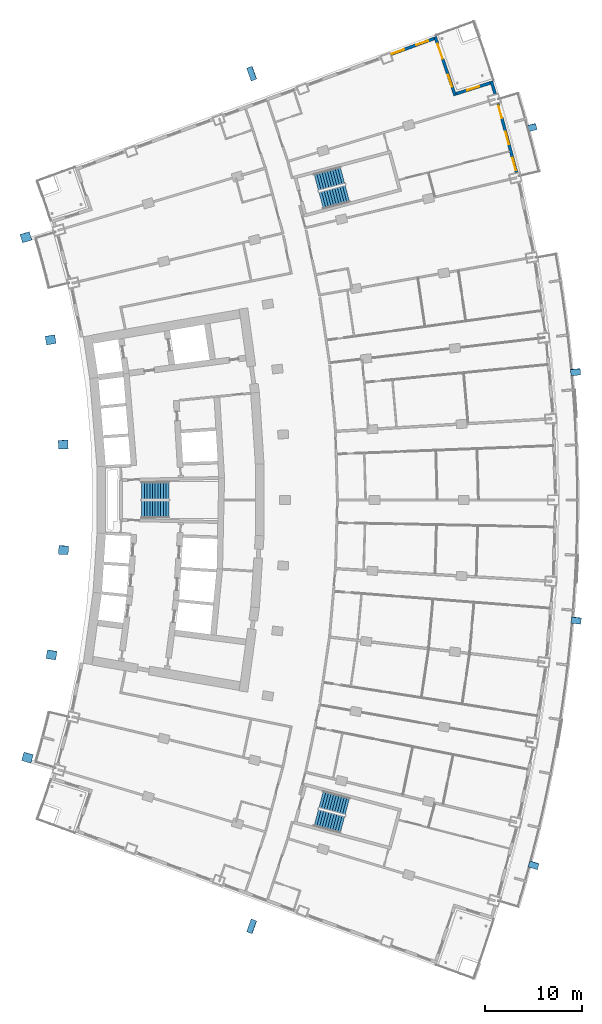
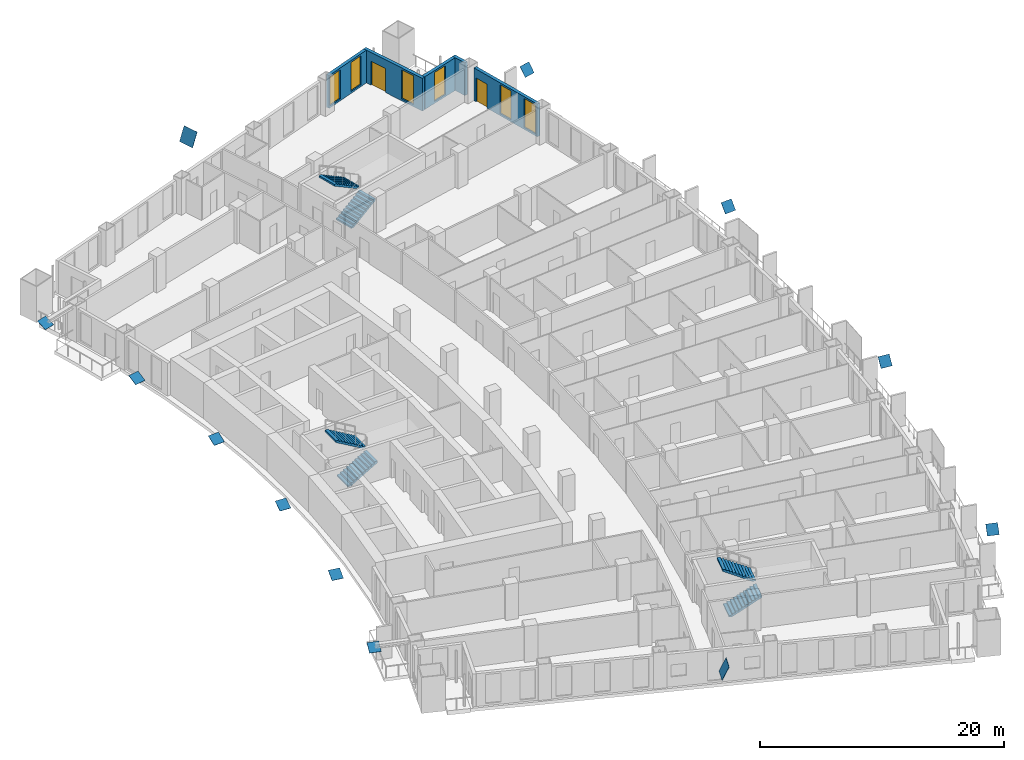
# One storey, part 21 of 24: 12 discrete accessories, 6 stair flights, 6 windows, 5 walls, 2 doors, 8 openings, 3 elements without a shape of their own.
"""IFC4 building model written with IfcOpenShell, lengths in metres."""

from ifc_helpers import new_model, si_unit, direction, frame, frame_2d, origin, origin_2d, place, context, subcontext, project, spatial, polyline, rectangle, outline, extrude, material, layer, layer_set, material_profile, profile_set, type_object, element, fill, aggregate, save


model = new_model("IFC4")

# Units and contexts
model_context = context("Model", 3, precision=1e-05, world=origin(), true_north=direction((0.0, 1.0)))
body_context = subcontext(model_context, "Body", "Model", "MODEL_VIEW")
ifc_project = project(units=[si_unit("LENGTHUNIT", "METRE"), si_unit("AREAUNIT", "SQUARE_METRE"), si_unit("VOLUMEUNIT", "CUBIC_METRE"), si_unit("PLANEANGLEUNIT", "RADIAN"), si_unit("MASSUNIT", "GRAM", prefix="KILO")], contexts=[model_context])

# Site, building, storey
site_placement = place(None, origin())
site = spatial("IfcSite", under=ifc_project, at=site_placement, CompositionType="ELEMENT")
building_placement = place(site_placement, origin())
building = spatial("IfcBuilding", under=site, at=building_placement, Name="Alderwake Tower", CompositionType="ELEMENT")
storey_placement = place(building_placement, frame((0.0, 0.0, 39.199951171875)))
storey = spatial("IfcBuildingStorey", under=building, at=storey_placement, Name="L08", CompositionType="ELEMENT", Elevation=39.199951171875)

# Wall, openings, door, windows
ifc_material_1 = material(Name="Precast concrete C50/60 spandrel panel", Category="concrete")
ifc_layer_1 = layer(ifc_material_1, 0.300048828125)
ifc_layer_set_1 = layer_set([ifc_layer_1], Name="External wall EW1 Precast concrete C50/60 spandrel")
wall_type_1 = type_object("IfcWallType", Name="External wall EW1 Precast concrete C50/60 spandrel", PredefinedType="SOLIDWALL", material=ifc_layer_set_1)
wall_1_placement = place(storey_placement, frame((59.62109375, 94.7216796875, 0.0), z_axis=(0.0, 0.0, 1.0), x_axis=(-0.259490825488, 0.965745572854, 0.0)))
wall_1 = element("IfcWall", 1, at=wall_1_placement, inside=storey, type_object=wall_type_1, Name="External wall 21", PredefinedType="SOLIDWALL", context=body_context, shape_type="SweptSolid", body=[
    extrude(rectangle(XDim=7.3291015625, YDim=0.300048828125, at=frame_2d((3.66455078125, 0.0))), origin(), (0.0, 0.0, 1.0), 3.280029296875),
])
opening_1_placement = place(wall_1_placement, frame((0.226806640625, 0.0, 0.199951171875)))
opening_1 = element("IfcOpeningElement", 2, at=opening_1_placement, cuts=wall_1, Name="Opening W1", PredefinedType="OPENING", context=body_context, shape_type="SweptSolid", body=[
    extrude(rectangle(XDim=1.300048828125, YDim=2.89990234375, at=frame_2d((0.64990234375, 1.449951171875))), frame((0.0, 0.159912109375, 0.0), z_axis=(0.0, -1.0, 0.0), x_axis=(1.0, 0.0, 0.0)), (0.0, 0.0, 1.0), 0.320068359375),
])
opening_2_placement = place(wall_1_placement, frame((3.0146484375, 0.0, 0.199951171875)))
opening_2 = element("IfcOpeningElement", 3, at=opening_2_placement, cuts=wall_1, Name="Opening W1", PredefinedType="OPENING", context=body_context, shape_type="SweptSolid", body=[
    extrude(rectangle(XDim=1.300048828125, YDim=2.89990234375, at=frame_2d((0.64990234375, 1.449951171875))), frame((0.0, 0.159912109375, 0.0), z_axis=(0.0, -1.0, 0.0), x_axis=(1.0, 0.0, 0.0)), (0.0, 0.0, 1.0), 0.320068359375),
])
opening_3_placement = place(wall_1_placement, frame((5.802490234375, 0.0, 0.0)))
opening_3 = element("IfcOpeningElement", 4, at=opening_3_placement, cuts=wall_1, Name="Opening D11", PredefinedType="OPENING", context=body_context, shape_type="SweptSolid", body=[
    extrude(rectangle(XDim=1.300048828125, YDim=2.39990234375, at=frame_2d((0.64990234375, 1.199951171875))), frame((0.0, 0.159912109375, 0.0), z_axis=(0.0, -1.0, 0.0), x_axis=(1.0, 0.0, 0.0)), (0.0, 0.0, 1.0), 0.320068359375),
])
ifc_material_2 = material(Name="Bronze tinted glass in aluminium frame", Category="aluminium")
door_type_1 = type_object("IfcDoorType", Name="Balcony door BD sliding", OperationType="SLIDING_TO_LEFT", PredefinedType="DOOR", material=ifc_material_2)
door_1_placement = place(opening_3_placement, origin())
door_1 = element("IfcDoor", 5, at=door_1_placement, inside=storey, type_object=door_type_1, Name="Door D11", OperationType="SLIDING_TO_LEFT", OverallHeight=2.39990234375, OverallWidth=1.300048828125, PredefinedType="DOOR", context=body_context, shape_type="SweptSolid", body=[
    extrude(rectangle(XDim=1.300048828125, YDim=2.39990234375, at=frame_2d((0.64990234375, 1.199951171875))), frame((0.0, 0.02490234375, 0.0), z_axis=(0.0, -1.0, 0.0), x_axis=(1.0, 0.0, 0.0)), (0.0, 0.0, 1.0), 0.050048828125),
])
fill(opening_3, door_1)
ifc_material_3 = material(Name="Bronze tinted glass in aluminium frame", Category="aluminium")
window_type = type_object("IfcWindowType", Name="Window W1 tall fixed and vent", PartitioningType="DOUBLE_PANEL_VERTICAL", PredefinedType="WINDOW", material=ifc_material_3)
window_1_placement = place(opening_1_placement, origin())
window_1 = element("IfcWindow", 6, at=window_1_placement, inside=storey, type_object=window_type, Name="Window W1 tall fixed and vent", OverallHeight=2.89990234375, OverallWidth=1.300048828125, PartitioningType="DOUBLE_PANEL_VERTICAL", PredefinedType="WINDOW", context=body_context, shape_type="SweptSolid", body=[
    extrude(rectangle(XDim=1.300048828125, YDim=2.89990234375, at=frame_2d((0.64990234375, 1.449951171875))), frame((0.0, 0.030029296875, 0.0), z_axis=(0.0, -1.0, 0.0), x_axis=(1.0, 0.0, 0.0)), (0.0, 0.0, 1.0), 0.06005859375),
])
fill(opening_1, window_1)
window_2_placement = place(opening_2_placement, origin())
window_2 = element("IfcWindow", 7, at=window_2_placement, inside=storey, type_object=window_type, Name="Window W1 tall fixed and vent", OverallHeight=2.89990234375, OverallWidth=1.300048828125, PartitioningType="DOUBLE_PANEL_VERTICAL", PredefinedType="WINDOW", context=body_context, shape_type="SweptSolid", body=[
    extrude(rectangle(XDim=1.300048828125, YDim=2.89990234375, at=frame_2d((0.64990234375, 1.449951171875))), frame((0.0, 0.030029296875, 0.0), z_axis=(0.0, -1.0, 0.0), x_axis=(1.0, 0.0, 0.0)), (0.0, 0.0, 1.0), 0.06005859375),
])
fill(opening_2, window_2)

# Wall
wall_2_placement = place(storey_placement, frame((57.43408203125, 102.790283203125, 0.0), z_axis=(0.0, 0.0, 1.0), x_axis=(-0.294678837425, 0.955596349289, 0.0)))
element("IfcWall", 8, at=wall_2_placement, inside=storey, type_object=wall_type_1, Name="External wall 22", PredefinedType="SOLIDWALL", context=body_context, shape_type="SweptSolid", body=[
    extrude(rectangle(XDim=1.388671875, YDim=0.300048828125, at=frame_2d((0.6943359375, 0.0))), origin(), (0.0, 0.0, 1.0), 3.280029296875),
])

# Wall, opening, window
ifc_material_4 = material(Name="Bronze metal cladding on lightweight framing")
ifc_layer_2 = layer(ifc_material_4, 0.300048828125)
ifc_layer_set_2 = layer_set([ifc_layer_2], Name="External wall EW2 bronze metal cladding")
wall_type_2 = type_object("IfcWallType", Name="External wall EW2 bronze metal cladding", PredefinedType="SOLIDWALL", material=ifc_layer_set_2)
wall_3_placement = place(storey_placement, frame((56.926025390625, 103.9287109375, 0.0), z_axis=(0.0, 0.0, 1.0), x_axis=(-0.953466730622, -0.301498248083, 0.0)))
wall_3 = element("IfcWall", 9, at=wall_3_placement, inside=storey, type_object=wall_type_2, Name="External wall 23", PredefinedType="SOLIDWALL", context=body_context, shape_type="SweptSolid", body=[
    extrude(rectangle(XDim=3.694091796875, YDim=0.300048828125, at=frame_2d((1.84716796875, 0.0))), origin(), (0.0, 0.0, 1.0), 3.280029296875),
])
opening_4_placement = place(wall_3_placement, frame((1.197021484375, 0.0, 0.199951171875)))
opening_4 = element("IfcOpeningElement", 10, at=opening_4_placement, cuts=wall_3, Name="Opening W1", PredefinedType="OPENING", context=body_context, shape_type="SweptSolid", body=[
    extrude(rectangle(XDim=1.300048828125, YDim=2.89990234375, at=frame_2d((0.64990234375, 1.449951171875))), frame((0.0, 0.159912109375, 0.0), z_axis=(0.0, -1.0, 0.0), x_axis=(1.0, 0.0, 0.0)), (0.0, 0.0, 1.0), 0.320068359375),
])
window_3_placement = place(opening_4_placement, origin())
window_3 = element("IfcWindow", 11, at=window_3_placement, inside=storey, type_object=window_type, Name="Window W1 tall fixed and vent", OverallHeight=2.89990234375, OverallWidth=1.300048828125, PartitioningType="DOUBLE_PANEL_VERTICAL", PredefinedType="WINDOW", context=body_context, shape_type="SweptSolid", body=[
    extrude(rectangle(XDim=1.300048828125, YDim=2.89990234375, at=frame_2d((0.64990234375, 1.449951171875))), frame((0.0, 0.030029296875, 0.0), z_axis=(0.0, -1.0, 0.0), x_axis=(1.0, 0.0, 0.0)), (0.0, 0.0, 1.0), 0.06005859375),
])
fill(opening_4, window_3)

# Wall, openings, door, window
wall_4_placement = place(storey_placement, frame((53.308837890625, 102.627685546875, 0.0), z_axis=(0.0, 0.0, 1.0), x_axis=(-0.320897976071, 0.947113767693, 0.0)))
wall_4 = element("IfcWall", 12, at=wall_4_placement, inside=storey, type_object=wall_type_2, Name="External wall 24", PredefinedType="SOLIDWALL", context=body_context, shape_type="SweptSolid", body=[
    extrude(rectangle(XDim=6.408935546875, YDim=0.300048828125, at=frame_2d((3.20458984375, 0.0))), origin(), (0.0, 0.0, 1.0), 3.280029296875),
])
opening_5_placement = place(wall_4_placement, frame((0.952392578125, 0.0, 0.199951171875)))
opening_5 = element("IfcOpeningElement", 13, at=opening_5_placement, cuts=wall_4, Name="Opening W1", PredefinedType="OPENING", context=body_context, shape_type="SweptSolid", body=[
    extrude(rectangle(XDim=1.300048828125, YDim=2.89990234375, at=frame_2d((0.64990234375, 1.449951171875))), frame((0.0, 0.159912109375, 0.0), z_axis=(0.0, -1.0, 0.0), x_axis=(1.0, 0.0, 0.0)), (0.0, 0.0, 1.0), 0.320068359375),
])
opening_6_placement = place(wall_4_placement, frame((4.0068359375, 0.0, 0.0)))
opening_6 = element("IfcOpeningElement", 14, at=opening_6_placement, cuts=wall_4, Name="Opening D12", PredefinedType="OPENING", context=body_context, shape_type="SweptSolid", body=[
    extrude(rectangle(XDim=1.60009765625, YDim=2.39990234375, at=frame_2d((0.800048828125, 1.199951171875))), frame((0.0, 0.159912109375, 0.0), z_axis=(0.0, -1.0, 0.0), x_axis=(1.0, 0.0, 0.0)), (0.0, 0.0, 1.0), 0.320068359375),
])
ifc_material_5 = material(Name="Bronze tinted glass in aluminium frame", Category="aluminium")
door_type_2 = type_object("IfcDoorType", Name="Terrace door TD sliding", OperationType="SLIDING_TO_LEFT", PredefinedType="DOOR", material=ifc_material_5)
door_2_placement = place(opening_6_placement, origin())
door_2 = element("IfcDoor", 15, at=door_2_placement, inside=storey, type_object=door_type_2, Name="Door D12", OperationType="SLIDING_TO_LEFT", OverallHeight=2.39990234375, OverallWidth=1.60009765625, PredefinedType="DOOR", context=body_context, shape_type="SweptSolid", body=[
    extrude(rectangle(XDim=1.60009765625, YDim=2.39990234375, at=frame_2d((0.800048828125, 1.199951171875))), frame((0.0, 0.02490234375, 0.0), z_axis=(0.0, -1.0, 0.0), x_axis=(1.0, 0.0, 0.0)), (0.0, 0.0, 1.0), 0.050048828125),
])
fill(opening_6, door_2)
window_4_placement = place(opening_5_placement, origin())
window_4 = element("IfcWindow", 16, at=window_4_placement, inside=storey, type_object=window_type, Name="Window W1 tall fixed and vent", OverallHeight=2.89990234375, OverallWidth=1.300048828125, PartitioningType="DOUBLE_PANEL_VERTICAL", PredefinedType="WINDOW", context=body_context, shape_type="SweptSolid", body=[
    extrude(rectangle(XDim=1.300048828125, YDim=2.89990234375, at=frame_2d((0.64990234375, 1.449951171875))), frame((0.0, 0.030029296875, 0.0), z_axis=(0.0, -1.0, 0.0), x_axis=(1.0, 0.0, 0.0)), (0.0, 0.0, 1.0), 0.06005859375),
])
fill(opening_5, window_4)

# Wall, openings, windows
wall_5_placement = place(storey_placement, frame((51.159423828125, 108.50439453125, 0.0), z_axis=(0.0, 0.0, 1.0), x_axis=(-0.939369156015, -0.342907551284, 0.0)))
wall_5 = element("IfcWall", 17, at=wall_5_placement, inside=storey, type_object=wall_type_2, Name="External wall 25", PredefinedType="SOLIDWALL", context=body_context, shape_type="SweptSolid", body=[
    extrude(rectangle(XDim=4.74609375, YDim=0.300048828125, at=frame_2d((2.373046875, 0.0))), origin(), (0.0, 0.0, 1.0), 3.280029296875),
])
opening_7_placement = place(wall_5_placement, frame((0.674560546875, 0.0, 0.199951171875)))
opening_7 = element("IfcOpeningElement", 18, at=opening_7_placement, cuts=wall_5, Name="Opening W1", PredefinedType="OPENING", context=body_context, shape_type="SweptSolid", body=[
    extrude(rectangle(XDim=1.300048828125, YDim=2.89990234375, at=frame_2d((0.64990234375, 1.449951171875))), frame((0.0, 0.159912109375, 0.0), z_axis=(0.0, -1.0, 0.0), x_axis=(1.0, 0.0, 0.0)), (0.0, 0.0, 1.0), 0.320068359375),
])
opening_8_placement = place(wall_5_placement, frame((3.323486328125, 0.0, 0.199951171875)))
opening_8 = element("IfcOpeningElement", 19, at=opening_8_placement, cuts=wall_5, Name="Opening W1", PredefinedType="OPENING", context=body_context, shape_type="SweptSolid", body=[
    extrude(rectangle(XDim=1.300048828125, YDim=2.89990234375, at=frame_2d((0.64990234375, 1.449951171875))), frame((0.0, 0.159912109375, 0.0), z_axis=(0.0, -1.0, 0.0), x_axis=(1.0, 0.0, 0.0)), (0.0, 0.0, 1.0), 0.320068359375),
])
window_5_placement = place(opening_7_placement, origin())
window_5 = element("IfcWindow", 20, at=window_5_placement, inside=storey, type_object=window_type, Name="Window W1 tall fixed and vent", OverallHeight=2.89990234375, OverallWidth=1.300048828125, PartitioningType="DOUBLE_PANEL_VERTICAL", PredefinedType="WINDOW", context=body_context, shape_type="SweptSolid", body=[
    extrude(rectangle(XDim=1.300048828125, YDim=2.89990234375, at=frame_2d((0.64990234375, 1.449951171875))), frame((0.0, 0.030029296875, 0.0), z_axis=(0.0, -1.0, 0.0), x_axis=(1.0, 0.0, 0.0)), (0.0, 0.0, 1.0), 0.06005859375),
])
fill(opening_7, window_5)
window_6_placement = place(opening_8_placement, origin())
window_6 = element("IfcWindow", 21, at=window_6_placement, inside=storey, type_object=window_type, Name="Window W1 tall fixed and vent", OverallHeight=2.89990234375, OverallWidth=1.300048828125, PartitioningType="DOUBLE_PANEL_VERTICAL", PredefinedType="WINDOW", context=body_context, shape_type="SweptSolid", body=[
    extrude(rectangle(XDim=1.300048828125, YDim=2.89990234375, at=frame_2d((0.64990234375, 1.449951171875))), frame((0.0, 0.030029296875, 0.0), z_axis=(0.0, -1.0, 0.0), x_axis=(1.0, 0.0, 0.0)), (0.0, 0.0, 1.0), 0.06005859375),
])
fill(opening_8, window_6)

# Stair, stair flights
ifc_material_6 = material(Name="Concrete C40/50", Category="concrete")
stair_type = type_object("IfcStairType", Name="Core exit stair", PredefinedType="HALF_TURN_STAIR", material=ifc_material_6)
stair_1_placement = place(storey_placement, origin())
stair_1 = element("IfcStair", 22, at=stair_1_placement, inside=storey, type_object=stair_type, Name="L08 Exit Stair B", PredefinedType="HALF_TURN_STAIR")
ifc_material_7 = material(Name="Concrete C40/50", Category="concrete")
ifc_layer_3 = layer(ifc_material_7, 0.14990234375)
ifc_layer_set_3 = layer_set([ifc_layer_3], Name="Core stair flight")
stair_flight_type = type_object("IfcStairFlightType", Name="Core stair flight", PredefinedType="STRAIGHT", material=ifc_layer_set_3)
stair_flight_1_placement = place(storey_placement, frame((21.0400390625, 60.02490234375, 0.0), z_axis=(0.0, 0.0, 1.0), x_axis=(1.0, 0.0, 0.0)))
stair_flight_1 = element("IfcStairFlight", 23, at=stair_flight_1_placement, type_object=stair_flight_type, Name="ST-B flight 1", NumberOfRisers=11, NumberOfTreads=10, PredefinedType="STRAIGHT", RiserHeight=0.163636364, TreadLength=0.28, context=body_context, shape_type="SweptSolid", body=[
    extrude(outline(polyline([(0.0, 0.0), (0.0, 0.16357421875), (0.280029296875, 0.16357421875), (0.280029296875, 0.327392578125), (0.56005859375, 0.327392578125), (0.56005859375, 0.490966796875), (0.840087890625, 0.490966796875), (0.840087890625, 0.654541015625), (1.1201171875, 0.654541015625), (1.1201171875, 0.818115234375), (1.39990234375, 0.818115234375), (1.39990234375, 0.98193359375), (1.679931640625, 0.98193359375), (1.679931640625, 1.1455078125), (1.9599609375, 1.1455078125), (1.9599609375, 1.30908203125), (2.239990234375, 1.30908203125), (2.239990234375, 1.47265625), (2.52001953125, 1.47265625), (2.52001953125, 1.636474609375), (2.800048828125, 1.636474609375), (2.800048828125, 1.800048828125), (2.800048828125, 1.462646484375), (0.297119140625, 0.0), (0.0, 0.0)])), frame((0.0, 0.89990234375, 0.0), z_axis=(0.0, -1.0, 0.0), x_axis=(1.0, 0.0, 0.0)), (0.0, 0.0, 1.0), 1.800048828125),
])
stair_flight_2_placement = place(storey_placement, frame((23.840087890625, 61.97509765625, 1.800048828125), z_axis=(0.0, 0.0, 1.0), x_axis=(-1.0, 0.0, 0.0)))
stair_flight_2 = element("IfcStairFlight", 24, at=stair_flight_2_placement, type_object=stair_flight_type, Name="ST-B flight 2", NumberOfRisers=11, NumberOfTreads=10, PredefinedType="STRAIGHT", RiserHeight=0.163636364, TreadLength=0.28, context=body_context, shape_type="SweptSolid", body=[
    extrude(outline(polyline([(0.0, 0.0), (0.0, 0.16357421875), (0.280029296875, 0.16357421875), (0.280029296875, 0.327392578125), (0.56005859375, 0.327392578125), (0.56005859375, 0.490966796875), (0.840087890625, 0.490966796875), (0.840087890625, 0.654541015625), (1.1201171875, 0.654541015625), (1.1201171875, 0.818115234375), (1.39990234375, 0.818115234375), (1.39990234375, 0.98193359375), (1.679931640625, 0.98193359375), (1.679931640625, 1.1455078125), (1.9599609375, 1.1455078125), (1.9599609375, 1.30908203125), (2.239990234375, 1.30908203125), (2.239990234375, 1.47265625), (2.52001953125, 1.47265625), (2.52001953125, 1.636474609375), (2.800048828125, 1.636474609375), (2.800048828125, 1.800048828125), (2.800048828125, 1.462646484375), (0.297119140625, 0.0), (0.0, 0.0)])), frame((0.0, 0.89990234375, 0.0), z_axis=(0.0, -1.0, 0.0), x_axis=(1.0, 0.0, 0.0)), (0.0, 0.0, 1.0), 1.800048828125),
])
aggregate(stair_1, [stair_flight_1, stair_flight_2])

stair_2_placement = place(storey_placement, origin())
stair_2 = element("IfcStair", 25, at=stair_2_placement, inside=storey, type_object=stair_type, Name="L08 Exit Stair A", PredefinedType="HALF_TURN_STAIR")
stair_flight_3_placement = place(storey_placement, frame((39.512939453125, 91.823974609375, 0.0), z_axis=(0.0, 0.0, 1.0), x_axis=(0.966309627437, 0.257382407951, 0.0)))
stair_flight_3 = element("IfcStairFlight", 26, at=stair_flight_3_placement, type_object=stair_flight_type, Name="ST-A flight 1", NumberOfRisers=11, NumberOfTreads=10, PredefinedType="STRAIGHT", RiserHeight=0.163636364, TreadLength=0.28, context=body_context, shape_type="SweptSolid", body=[
    extrude(outline(polyline([(0.0, 0.0), (0.0, 0.16357421875), (0.280029296875, 0.16357421875), (0.280029296875, 0.327392578125), (0.56005859375, 0.327392578125), (0.56005859375, 0.490966796875), (0.840087890625, 0.490966796875), (0.840087890625, 0.654541015625), (1.1201171875, 0.654541015625), (1.1201171875, 0.818115234375), (1.39990234375, 0.818115234375), (1.39990234375, 0.98193359375), (1.679931640625, 0.98193359375), (1.679931640625, 1.1455078125), (1.9599609375, 1.1455078125), (1.9599609375, 1.30908203125), (2.239990234375, 1.30908203125), (2.239990234375, 1.47265625), (2.52001953125, 1.47265625), (2.52001953125, 1.636474609375), (2.800048828125, 1.636474609375), (2.800048828125, 1.800048828125), (2.800048828125, 1.462646484375), (0.297119140625, 0.0), (0.0, 0.0)])), frame((0.0, 0.89990234375, 0.0), z_axis=(0.0, -1.0, 0.0), x_axis=(1.0, 0.0, 0.0)), (0.0, 0.0, 1.0), 1.800048828125),
])
stair_flight_4_placement = place(storey_placement, frame((41.716796875, 94.428955078125, 1.800048828125), z_axis=(0.0, 0.0, 1.0), x_axis=(-0.966309627437, -0.257382407951, 0.0)))
stair_flight_4 = element("IfcStairFlight", 27, at=stair_flight_4_placement, type_object=stair_flight_type, Name="ST-A flight 2", NumberOfRisers=11, NumberOfTreads=10, PredefinedType="STRAIGHT", RiserHeight=0.163636364, TreadLength=0.28, context=body_context, shape_type="SweptSolid", body=[
    extrude(outline(polyline([(0.0, 0.0), (0.0, 0.16357421875), (0.280029296875, 0.16357421875), (0.280029296875, 0.327392578125), (0.56005859375, 0.327392578125), (0.56005859375, 0.490966796875), (0.840087890625, 0.490966796875), (0.840087890625, 0.654541015625), (1.1201171875, 0.654541015625), (1.1201171875, 0.818115234375), (1.39990234375, 0.818115234375), (1.39990234375, 0.98193359375), (1.679931640625, 0.98193359375), (1.679931640625, 1.1455078125), (1.9599609375, 1.1455078125), (1.9599609375, 1.30908203125), (2.239990234375, 1.30908203125), (2.239990234375, 1.47265625), (2.52001953125, 1.47265625), (2.52001953125, 1.636474609375), (2.800048828125, 1.636474609375), (2.800048828125, 1.800048828125), (2.800048828125, 1.462646484375), (0.297119140625, 0.0), (0.0, 0.0)])), frame((0.0, 0.89990234375, 0.0), z_axis=(0.0, -1.0, 0.0), x_axis=(1.0, 0.0, 0.0)), (0.0, 0.0, 1.0), 1.800048828125),
])
aggregate(stair_2, [stair_flight_3, stair_flight_4])

stair_3_placement = place(storey_placement, origin())
stair_3 = element("IfcStair", 28, at=stair_3_placement, inside=storey, type_object=stair_type, Name="L08 Exit Stair C", PredefinedType="HALF_TURN_STAIR")
stair_flight_5_placement = place(storey_placement, frame((39.010986328125, 28.291748046875, 0.0), z_axis=(0.0, 0.0, 1.0), x_axis=(0.966309627437, -0.257382407951, 0.0)))
stair_flight_5 = element("IfcStairFlight", 29, at=stair_flight_5_placement, type_object=stair_flight_type, Name="ST-C flight 1", NumberOfRisers=11, NumberOfTreads=10, PredefinedType="STRAIGHT", RiserHeight=0.163636364, TreadLength=0.28, context=body_context, shape_type="SweptSolid", body=[
    extrude(outline(polyline([(0.0, 0.0), (0.0, 0.16357421875), (0.280029296875, 0.16357421875), (0.280029296875, 0.327392578125), (0.56005859375, 0.327392578125), (0.56005859375, 0.490966796875), (0.840087890625, 0.490966796875), (0.840087890625, 0.654541015625), (1.1201171875, 0.654541015625), (1.1201171875, 0.818115234375), (1.39990234375, 0.818115234375), (1.39990234375, 0.98193359375), (1.679931640625, 0.98193359375), (1.679931640625, 1.1455078125), (1.9599609375, 1.1455078125), (1.9599609375, 1.30908203125), (2.239990234375, 1.30908203125), (2.239990234375, 1.47265625), (2.52001953125, 1.47265625), (2.52001953125, 1.636474609375), (2.800048828125, 1.636474609375), (2.800048828125, 1.800048828125), (2.800048828125, 1.462646484375), (0.297119140625, 0.0), (0.0, 0.0)])), frame((0.0, 0.89990234375, 0.0), z_axis=(0.0, -1.0, 0.0), x_axis=(1.0, 0.0, 0.0)), (0.0, 0.0, 1.0), 1.800048828125),
])
stair_flight_6_placement = place(storey_placement, frame((42.218505859375, 29.455322265625, 1.800048828125), z_axis=(0.0, 0.0, 1.0), x_axis=(-0.966309627437, 0.257382407951, 0.0)))
stair_flight_6 = element("IfcStairFlight", 30, at=stair_flight_6_placement, type_object=stair_flight_type, Name="ST-C flight 2", NumberOfRisers=11, NumberOfTreads=10, PredefinedType="STRAIGHT", RiserHeight=0.163636364, TreadLength=0.28, context=body_context, shape_type="SweptSolid", body=[
    extrude(outline(polyline([(0.0, 0.0), (0.0, 0.16357421875), (0.280029296875, 0.16357421875), (0.280029296875, 0.327392578125), (0.56005859375, 0.327392578125), (0.56005859375, 0.490966796875), (0.840087890625, 0.490966796875), (0.840087890625, 0.654541015625), (1.1201171875, 0.654541015625), (1.1201171875, 0.818115234375), (1.39990234375, 0.818115234375), (1.39990234375, 0.98193359375), (1.679931640625, 0.98193359375), (1.679931640625, 1.1455078125), (1.9599609375, 1.1455078125), (1.9599609375, 1.30908203125), (2.239990234375, 1.30908203125), (2.239990234375, 1.47265625), (2.52001953125, 1.47265625), (2.52001953125, 1.636474609375), (2.800048828125, 1.636474609375), (2.800048828125, 1.800048828125), (2.800048828125, 1.462646484375), (0.297119140625, 0.0), (0.0, 0.0)])), frame((0.0, 0.89990234375, 0.0), z_axis=(0.0, -1.0, 0.0), x_axis=(1.0, 0.0, 0.0)), (0.0, 0.0, 1.0), 1.800048828125),
])
aggregate(stair_3, [stair_flight_5, stair_flight_6])

# Discrete accessories
ifc_material_8 = material(Name="Steel ASTM A572 Grade 50", Category="steel")
ifc_material_profile_1 = material_profile(ifc_material_8, rectangle(XDim=1.0, YDim=1.0, at=origin_2d()), Name="BOX 1000X1000X60 cap")
ifc_profile_set_1 = profile_set([ifc_material_profile_1], Name="Steel ASTM A572 Grade 50")
discrete_accessory_type_1 = type_object("IfcDiscreteAccessoryType", Name="End cap plate BOX 1000X1000X60", PredefinedType="USERDEFINED", material=ifc_profile_set_1)
for number, where, z_axis, x_axis, name in (
    (31, (61.388916015625, 23.413330078125, 3.30078125), (-0.227672375891, -0.731804065364, 0.642361346264), (0.954856776331, -0.297066552636, 0.0), "End cap BRF1.1.1B1 X"),
    (32, (65.7734375, 48.6044921875, 3.30078125), (-0.089227652055, -0.762490844836, 0.640816773852), (0.993222539321, -0.116228169495, 0.0), "End cap BRF1.1.4B1 X"),
    (33, (65.705078125, 74.174072265625, 3.30078125), (0.048806302711, -0.764632075799, 0.642616319023), (0.997969082864, 0.063700154225, 0.0), "End cap BRF1.1.7B1 X"),
):
    element("IfcDiscreteAccessory", number, at=place(storey_placement, frame(where, z_axis=z_axis, x_axis=x_axis)), inside=storey, type_object=discrete_accessory_type_1, Name=name, ObjectType="END CAP", PredefinedType="USERDEFINED", context=body_context, shape_type="SweptSolid", body=[
        extrude(rectangle(XDim=1.0, YDim=1.0, at=origin_2d()), origin(), (0.0, 0.0, 1.0), 0.030029296875),
    ])
discrete_accessory_placement = place(storey_placement, frame((61.18603515625, 99.34130859375, 3.30078125), z_axis=(0.179593332729, -0.742863330832, 0.644903331162), x_axis=(0.971998136057, 0.234988560365, 0.0)))
element("IfcDiscreteAccessory", 34, at=discrete_accessory_placement, inside=storey, type_object=discrete_accessory_type_1, Name="End cap BRF1.1.10B1 X", ObjectType="END CAP", PredefinedType="USERDEFINED", context=body_context, shape_type="SweptSolid", body=[
    extrude(rectangle(XDim=1.0, YDim=1.0, at=origin_2d()), origin(), (0.0, 0.0, 1.0), 0.02978515625),
])
for number, where, z_axis, x_axis, name in (
    (35, (9.288330078125, 34.486572265625, 3.041748046875), (-0.121931072609, -0.430823123218, 0.894161199132), (0.962206045824, -0.272322465799, 0.0), "End cap BRR1.1.1B1 X"),
    (36, (11.767578125, 45.060302734375, 3.041748046875), (-0.072985235949, -0.446020886357, 0.892041772714), (0.986874582898, -0.161488568111, 0.0), "End cap BRR1.1.3B1 X"),
    (37, (12.999267578125, 55.8505859375, 3.041748046875), (-0.024297273391, -0.453549103308, 0.890900024354), (0.99856813227, -0.053494721372, 0.0), "End cap BRR1.1.5B1 X"),
    (38, (12.966552734375, 66.710693359375, 3.041748046875), (0.024386214522, -0.447080599566, 0.894161199132), (0.998515707931, 0.05446449316, 0.0), "End cap BRR1.1.7B1 X"),
    (39, (11.669921875, 77.493408203125, 3.041748046875), (0.073248237966, -0.439489427795, 0.895256241805), (0.986393923832, 0.164398987305, 0.0), "End cap BRR1.1.9B1 X"),
    (40, (9.126708984375, 88.052001953125, 3.041748046875), (0.129926809902, -0.430382557802, 0.893246818079), (0.957327710787, 0.289004591936, 0.0), "End cap BRR1.1.11B1 X"),
):
    element("IfcDiscreteAccessory", number, at=place(storey_placement, frame(where, z_axis=z_axis, x_axis=x_axis)), inside=storey, type_object=discrete_accessory_type_1, Name=name, ObjectType="END CAP", PredefinedType="USERDEFINED", context=body_context, shape_type="SweptSolid", body=[
        extrude(rectangle(XDim=1.0, YDim=1.0, at=origin_2d()), origin(), (0.0, 0.0, 1.0), 0.030029296875),
    ])
ifc_material_9 = material(Name="Steel ASTM A572 Grade 50", Category="steel")
ifc_material_profile_2 = material_profile(ifc_material_9, rectangle(XDim=1.39990234375, YDim=1.39990234375, at=origin_2d()), Name="BOX 1400X1400X80 cap")
ifc_profile_set_2 = profile_set([ifc_material_profile_2], Name="Steel ASTM A572 Grade 50")
discrete_accessory_type_2 = type_object("IfcDiscreteAccessoryType", Name="End cap plate BOX 1400X1400X80", PredefinedType="USERDEFINED", material=ifc_profile_set_2)
for number, where, z_axis, x_axis, name in (
    (41, (32.3818359375, 17.103271484375, 3.31005859375), (-0.852419880887, 0.308494814035, 0.422150798154), (-0.340304572201, -0.940315265291, 0.0), "End cap BRS1.1.0B1 X"),
    (42, (32.3818359375, 104.896728515625, 3.31005859375), (-0.852419880887, -0.308494814035, 0.422150798154), (0.340304572201, -0.940315265291, 0.0), "End cap BRN1.1.0B1 X"),
):
    element("IfcDiscreteAccessory", number, at=place(storey_placement, frame(where, z_axis=z_axis, x_axis=x_axis)), inside=storey, type_object=discrete_accessory_type_2, Name=name, ObjectType="END CAP", PredefinedType="USERDEFINED", context=body_context, shape_type="SweptSolid", body=[
        extrude(rectangle(XDim=1.39990234375, YDim=1.39990234375, at=origin_2d()), origin(), (0.0, 0.0, 1.0), 0.030029296875),
    ])

save(model, "model.ifc")
